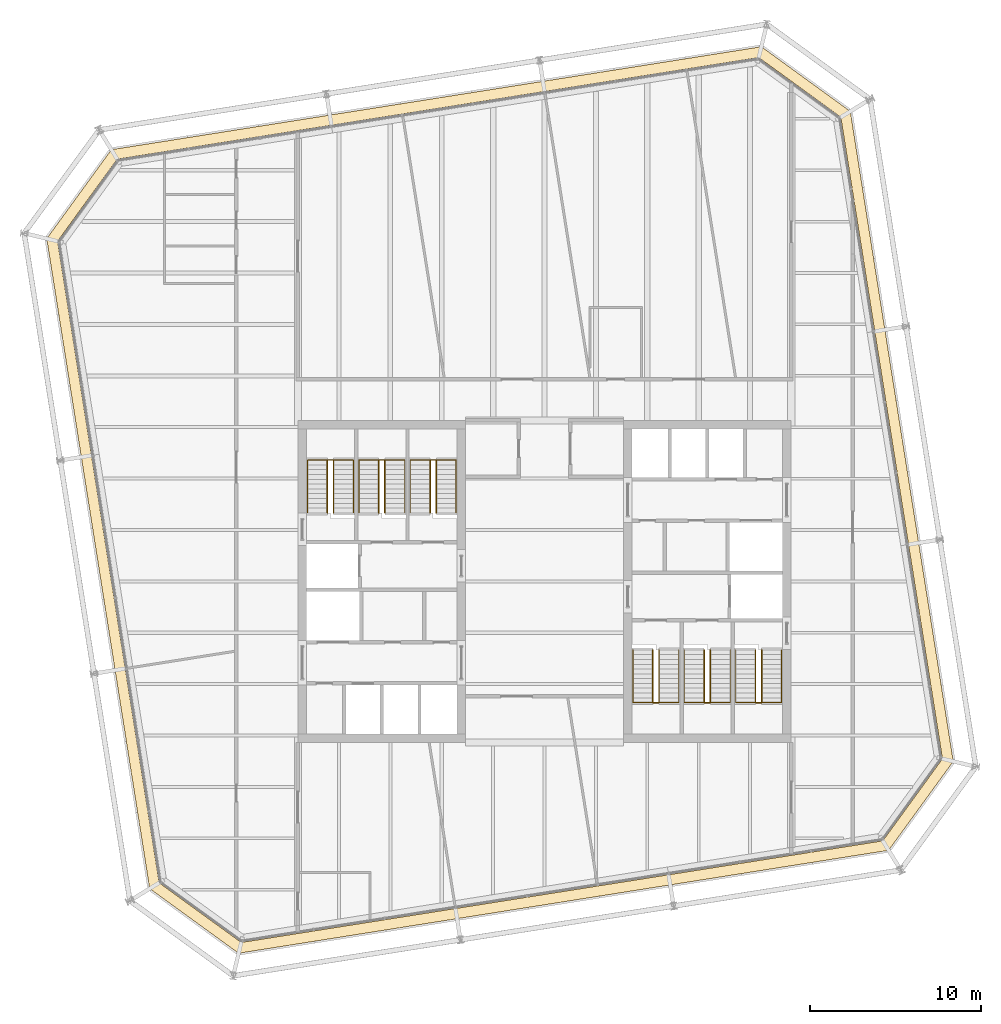
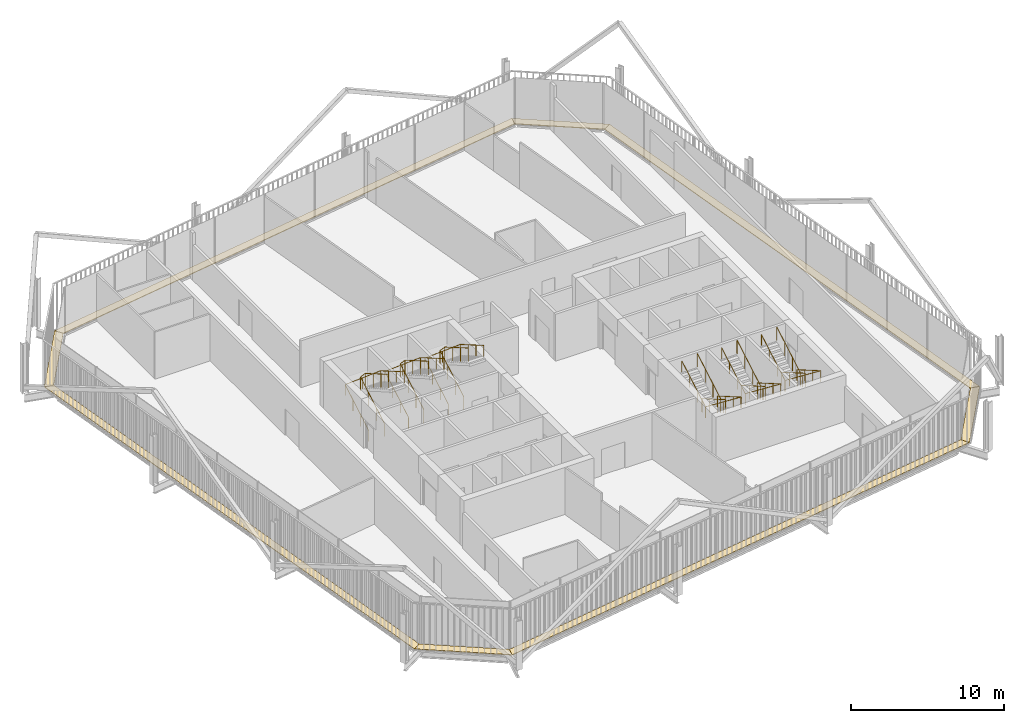
# One storey, part 21 of 21: 12 railings, 8 coverings.
"""IFC4 building model written with IfcOpenShell, lengths in metres."""

from ifc_helpers import new_model, si_unit, direction, frame, origin, origin_2d, place, context, subcontext, project, spatial, polyline, circle, outline, extrude, material, layer, layer_set, type_object, element, save


model = new_model("IFC4")

# Units and contexts
model_context = context("Model", 3, precision=1e-05, world=origin(), true_north=direction((0.0, 1.0)))
body_context = subcontext(model_context, "Body", "Model", "MODEL_VIEW")
ifc_project = project(units=[si_unit("LENGTHUNIT", "METRE"), si_unit("AREAUNIT", "SQUARE_METRE"), si_unit("VOLUMEUNIT", "CUBIC_METRE"), si_unit("PLANEANGLEUNIT", "RADIAN"), si_unit("MASSUNIT", "GRAM", prefix="KILO")], contexts=[model_context])

# Site, building, storey
site_placement = place(None, origin())
site = spatial("IfcSite", under=ifc_project, at=site_placement, CompositionType="ELEMENT")
building_placement = place(site_placement, origin())
building = spatial("IfcBuilding", under=site, at=building_placement, Name="Millrace Tower", CompositionType="ELEMENT")
storey_placement = place(building_placement, frame((0.0, 0.0, 247.39990234375)))
storey = spatial("IfcBuildingStorey", under=building, at=storey_placement, Name="L56", CompositionType="ELEMENT", Elevation=247.39990234375)

# Coverings
ifc_material_1 = material(Name="Steel ASTM A36", Category="steel")
ifc_layer = layer(ifc_material_1, 0.050048828125)
ifc_layer_set = layer_set([ifc_layer], Name="Steel ASTM A36")
covering_type = type_object("IfcCoveringType", Name="CAVITY CATWALK steel grating", PredefinedType="FLOORING", material=ifc_layer_set)
placement = place(storey_placement, frame((0.0, 0.0, 0.10009765625)))
element("IfcCovering", 1, at=placement, inside=storey, type_object=covering_type, Name="Cavity catwalk grating D-F01 L56 1", PredefinedType="FLOORING", context=body_context, shape_type="SweptSolid", body=[
    extrude(outline(polyline([(-23.052490234375, -17.939453125), (-17.85888671875, -21.712890625), (-17.707275390625, -21.081298828125), (-22.49853515625, -17.60009765625), (-23.052490234375, -17.939453125)])), origin(), (0.0, 0.0, 1.0), 0.050048828125),
])
element("IfcCovering", 2, at=placement, inside=storey, type_object=covering_type, Name="Cavity catwalk grating D-F02 L56 1", PredefinedType="FLOORING", context=body_context, shape_type="SweptSolid", body=[
    extrude(outline(polyline([(-17.85888671875, -21.712890625), (20.08935546875, -15.702392578125), (19.750244140625, -15.148681640625), (-17.707275390625, -21.081298828125), (-17.85888671875, -21.712890625)])), origin(), (0.0, 0.0, 1.0), 0.050048828125),
])
element("IfcCovering", 3, at=placement, inside=storey, type_object=covering_type, Name="Cavity catwalk grating D-F03 L56 1", PredefinedType="FLOORING", context=body_context, shape_type="SweptSolid", body=[
    extrude(outline(polyline([(20.08935546875, -15.702392578125), (23.86279296875, -10.5087890625), (23.231201171875, -10.357177734375), (19.750244140625, -15.148681640625), (20.08935546875, -15.702392578125)])), origin(), (0.0, 0.0, 1.0), 0.050048828125),
])
element("IfcCovering", 4, at=placement, inside=storey, type_object=covering_type, Name="Cavity catwalk grating D-F04 L56 1", PredefinedType="FLOORING", context=body_context, shape_type="SweptSolid", body=[
    extrude(outline(polyline([(23.86279296875, -10.5087890625), (17.852294921875, 27.439453125), (17.298583984375, 27.10009765625), (23.231201171875, -10.357177734375), (23.86279296875, -10.5087890625)])), origin(), (0.0, 0.0, 1.0), 0.050048828125),
])
element("IfcCovering", 5, at=placement, inside=storey, type_object=covering_type, Name="Cavity catwalk grating D-F05 L56 1", PredefinedType="FLOORING", context=body_context, shape_type="SweptSolid", body=[
    extrude(outline(polyline([(17.852294921875, 27.439453125), (12.658935546875, 31.212890625), (12.50732421875, 30.581298828125), (17.298583984375, 27.10009765625), (17.852294921875, 27.439453125)])), origin(), (0.0, 0.0, 1.0), 0.050048828125),
])
element("IfcCovering", 6, at=placement, inside=storey, type_object=covering_type, Name="Cavity catwalk grating D-F06 L56 1", PredefinedType="FLOORING", context=body_context, shape_type="SweptSolid", body=[
    extrude(outline(polyline([(12.658935546875, 31.212890625), (-25.28955078125, 25.202392578125), (-24.9501953125, 24.648681640625), (12.50732421875, 30.581298828125), (12.658935546875, 31.212890625)])), origin(), (0.0, 0.0, 1.0), 0.050048828125),
])
element("IfcCovering", 7, at=placement, inside=storey, type_object=covering_type, Name="Cavity catwalk grating D-F07 L56 1", PredefinedType="FLOORING", context=body_context, shape_type="SweptSolid", body=[
    extrude(outline(polyline([(-25.28955078125, 25.202392578125), (-29.062744140625, 20.0087890625), (-28.431396484375, 19.857177734375), (-24.9501953125, 24.648681640625), (-25.28955078125, 25.202392578125)])), origin(), (0.0, 0.0, 1.0), 0.050048828125),
])
element("IfcCovering", 8, at=placement, inside=storey, type_object=covering_type, Name="Cavity catwalk grating D-F08 L56 1", PredefinedType="FLOORING", context=body_context, shape_type="SweptSolid", body=[
    extrude(outline(polyline([(-29.062744140625, 20.0087890625), (-23.052490234375, -17.939453125), (-22.49853515625, -17.60009765625), (-28.431396484375, 19.857177734375), (-29.062744140625, 20.0087890625)])), origin(), (0.0, 0.0, 1.0), 0.050048828125),
])

# Railings
ifc_material_2 = material(Name="Stainless steel ASTM A240 type 316", Category="steel")
railing_type_1 = type_object("IfcRailingType", Name="Stair guard 1100", PredefinedType="GUARDRAIL", material=ifc_material_2)
for number, where, name in (
    (9, (-12.679931640625, 4.0, 0.16259765625), "Stair guard 1 W L56"),
    (10, (-9.679931640625, 4.0, 0.16259765625), "Stair guard 2 W L56"),
    (11, (-6.679931640625, 4.0, 0.16259765625), "Stair guard 3 W L56"),
):
    element("IfcRailing", number, at=place(storey_placement, frame(where)), inside=storey, type_object=railing_type_1, Name=name, PredefinedType="GUARDRAIL", context=body_context, shape_type="SweptSolid", body=[
        extrude(circle(Radius=0.02392578125, at=origin_2d()), frame((0.0, 0.0, 1.076171875), z_axis=(0.0, 0.864890721111, 0.501960198159), x_axis=(-1.0, 0.0, 0.0)), (0.0, 0.0, 1.0), 3.561279296875),
        extrude(circle(Radius=0.02392578125, at=origin_2d()), frame((0.0, 3.080078125, 2.86376953125), z_axis=(0.91152767309, 0.0, 0.411238739895), x_axis=(0.0, 1.0, 0.0)), (0.0, 0.0, 1.0), 0.394775390625),
        extrude(circle(Radius=0.02392578125, at=origin_2d()), frame((0.35986328125, 3.080078125, 3.02587890625), z_axis=(0.0, -0.864890721111, 0.501960198159), x_axis=(1.0, 0.0, 0.0)), (0.0, 0.0, 1.0), 3.561279296875),
        extrude(circle(Radius=0.02099609375, at=origin_2d()), origin(), (0.0, 0.0, 1.0), 1.052001953125),
        extrude(circle(Radius=0.02099609375, at=origin_2d()), frame((0.0, 1.026611328125, 0.595947265625)), (0.0, 0.0, 1.0), 1.052001953125),
        extrude(circle(Radius=0.02099609375, at=origin_2d()), frame((0.0, 2.053466796875, 1.191650390625)), (0.0, 0.0, 1.0), 1.052001953125),
        extrude(circle(Radius=0.02099609375, at=origin_2d()), frame((0.0, 3.080078125, 1.78759765625)), (0.0, 0.0, 1.0), 1.052001953125),
        extrude(circle(Radius=0.02099609375, at=origin_2d()), frame((0.35986328125, 3.080078125, 1.949951171875)), (0.0, 0.0, 1.0), 1.052001953125),
        extrude(circle(Radius=0.02099609375, at=origin_2d()), frame((0.35986328125, 2.053466796875, 2.5458984375)), (0.0, 0.0, 1.0), 1.052001953125),
        extrude(circle(Radius=0.02099609375, at=origin_2d()), frame((0.35986328125, 1.026611328125, 3.1416015625)), (0.0, 0.0, 1.0), 1.052001953125),
        extrude(circle(Radius=0.02099609375, at=origin_2d()), frame((0.35986328125, 0.0, 3.737548828125)), (0.0, 0.0, 1.0), 1.052001953125),
    ])
for number, where, name in (
    (12, (12.679931640625, -4.0, 0.16259765625), "Stair guard 1 E L56"),
    (13, (9.679931640625, -4.0, 0.16259765625), "Stair guard 2 E L56"),
    (14, (6.679931640625, -4.0, 0.16259765625), "Stair guard 3 E L56"),
):
    element("IfcRailing", number, at=place(storey_placement, frame(where)), inside=storey, type_object=railing_type_1, Name=name, PredefinedType="GUARDRAIL", context=body_context, shape_type="SweptSolid", body=[
        extrude(circle(Radius=0.02392578125, at=origin_2d()), frame((0.0, 0.0, 1.076171875), z_axis=(0.0, -0.864890721111, 0.501960198159), x_axis=(1.0, 0.0, 0.0)), (0.0, 0.0, 1.0), 3.561279296875),
        extrude(circle(Radius=0.02392578125, at=origin_2d()), frame((0.0, -3.080078125, 2.86376953125), z_axis=(-0.91152767309, 0.0, 0.411238739895), x_axis=(0.0, -1.0, 0.0)), (0.0, 0.0, 1.0), 0.394775390625),
        extrude(circle(Radius=0.02392578125, at=origin_2d()), frame((-0.35986328125, -3.080078125, 3.02587890625), z_axis=(0.0, 0.864890721111, 0.501960198159), x_axis=(-1.0, 0.0, 0.0)), (0.0, 0.0, 1.0), 3.561279296875),
        extrude(circle(Radius=0.02099609375, at=origin_2d()), origin(), (0.0, 0.0, 1.0), 1.052001953125),
        extrude(circle(Radius=0.02099609375, at=origin_2d()), frame((0.0, -1.026611328125, 0.595947265625)), (0.0, 0.0, 1.0), 1.052001953125),
        extrude(circle(Radius=0.02099609375, at=origin_2d()), frame((0.0, -2.053466796875, 1.191650390625)), (0.0, 0.0, 1.0), 1.052001953125),
        extrude(circle(Radius=0.02099609375, at=origin_2d()), frame((0.0, -3.080078125, 1.78759765625)), (0.0, 0.0, 1.0), 1.052001953125),
        extrude(circle(Radius=0.02099609375, at=origin_2d()), frame((-0.35986328125, -3.080078125, 1.949951171875)), (0.0, 0.0, 1.0), 1.052001953125),
        extrude(circle(Radius=0.02099609375, at=origin_2d()), frame((-0.35986328125, -2.053466796875, 2.5458984375)), (0.0, 0.0, 1.0), 1.052001953125),
        extrude(circle(Radius=0.02099609375, at=origin_2d()), frame((-0.35986328125, -1.026611328125, 3.1416015625)), (0.0, 0.0, 1.0), 1.052001953125),
        extrude(circle(Radius=0.02099609375, at=origin_2d()), frame((-0.35986328125, 0.0, 3.737548828125)), (0.0, 0.0, 1.0), 1.052001953125),
    ])
ifc_material_3 = material(Name="Stainless steel ASTM A240 type 316", Category="steel")
railing_type_2 = type_object("IfcRailingType", Name="Stair handrail 900", PredefinedType="HANDRAIL", material=ifc_material_3)
railing_1_placement = place(storey_placement, frame((-13.840087890625, 4.0, 0.16259765625)))
element("IfcRailing", 15, at=railing_1_placement, inside=storey, type_object=railing_type_2, Name="Stair handrail 1 W L56", PredefinedType="HANDRAIL", context=body_context, shape_type="SweptSolid", body=[
    extrude(circle(Radius=0.02392578125, at=origin_2d()), frame((0.0, 0.0, 0.8759765625), z_axis=(0.0, 0.864890721111, 0.501960198159), x_axis=(-1.0, 0.0, 0.0)), (0.0, 0.0, 1.0), 3.561279296875),
    extrude(circle(Radius=0.02392578125, at=origin_2d()), frame((0.0, 3.080078125, 2.66357421875), z_axis=(0.998170326313, 0.0, 0.06046486309), x_axis=(0.0, 1.0, 0.0)), (0.0, 0.0, 1.0), 2.68505859375),
    extrude(circle(Radius=0.02392578125, at=origin_2d()), frame((2.68017578125, 3.080078125, 2.82568359375), z_axis=(0.0, -0.864890721111, 0.501960198159), x_axis=(1.0, 0.0, 0.0)), (0.0, 0.0, 1.0), 3.561279296875),
    extrude(circle(Radius=0.02099609375, at=origin_2d()), origin(), (0.0, 0.0, 1.0), 0.851806640625),
    extrude(circle(Radius=0.02099609375, at=origin_2d()), frame((0.0, 1.026611328125, 0.595947265625)), (0.0, 0.0, 1.0), 0.851806640625),
    extrude(circle(Radius=0.02099609375, at=origin_2d()), frame((0.0, 2.053466796875, 1.191650390625)), (0.0, 0.0, 1.0), 0.851806640625),
    extrude(circle(Radius=0.02099609375, at=origin_2d()), frame((0.0, 3.080078125, 1.78759765625)), (0.0, 0.0, 1.0), 0.851806640625),
    extrude(circle(Radius=0.02099609375, at=origin_2d()), frame((1.340087890625, 3.080078125, 1.86865234375)), (0.0, 0.0, 1.0), 0.851806640625),
    extrude(circle(Radius=0.02099609375, at=origin_2d()), frame((2.68017578125, 3.080078125, 1.949951171875)), (0.0, 0.0, 1.0), 0.851806640625),
    extrude(circle(Radius=0.02099609375, at=origin_2d()), frame((2.68017578125, 2.053466796875, 2.5458984375)), (0.0, 0.0, 1.0), 0.851806640625),
    extrude(circle(Radius=0.02099609375, at=origin_2d()), frame((2.68017578125, 1.026611328125, 3.1416015625)), (0.0, 0.0, 1.0), 0.851806640625),
    extrude(circle(Radius=0.02099609375, at=origin_2d()), frame((2.68017578125, 0.0, 3.737548828125)), (0.0, 0.0, 1.0), 0.851806640625),
])
railing_2_placement = place(storey_placement, frame((-10.840087890625, 4.0, 0.16259765625)))
element("IfcRailing", 16, at=railing_2_placement, inside=storey, type_object=railing_type_2, Name="Stair handrail 2 W L56", PredefinedType="HANDRAIL", context=body_context, shape_type="SweptSolid", body=[
    extrude(circle(Radius=0.02392578125, at=origin_2d()), frame((0.0, 0.0, 0.8759765625), z_axis=(0.0, 0.864890721111, 0.501960198159), x_axis=(-1.0, 0.0, 0.0)), (0.0, 0.0, 1.0), 3.561279296875),
    extrude(circle(Radius=0.02392578125, at=origin_2d()), frame((0.0, 3.080078125, 2.66357421875), z_axis=(0.998170326313, 0.0, 0.06046486309), x_axis=(0.0, 1.0, 0.0)), (0.0, 0.0, 1.0), 2.68505859375),
    extrude(circle(Radius=0.02392578125, at=origin_2d()), frame((2.68017578125, 3.080078125, 2.82568359375), z_axis=(0.0, -0.864890721111, 0.501960198159), x_axis=(1.0, 0.0, 0.0)), (0.0, 0.0, 1.0), 3.561279296875),
    extrude(circle(Radius=0.02099609375, at=origin_2d()), origin(), (0.0, 0.0, 1.0), 0.851806640625),
    extrude(circle(Radius=0.02099609375, at=origin_2d()), frame((0.0, 1.026611328125, 0.595947265625)), (0.0, 0.0, 1.0), 0.851806640625),
    extrude(circle(Radius=0.02099609375, at=origin_2d()), frame((0.0, 2.053466796875, 1.191650390625)), (0.0, 0.0, 1.0), 0.851806640625),
    extrude(circle(Radius=0.02099609375, at=origin_2d()), frame((0.0, 3.080078125, 1.78759765625)), (0.0, 0.0, 1.0), 0.851806640625),
    extrude(circle(Radius=0.02099609375, at=origin_2d()), frame((1.340087890625, 3.080078125, 1.86865234375)), (0.0, 0.0, 1.0), 0.851806640625),
    extrude(circle(Radius=0.02099609375, at=origin_2d()), frame((2.68017578125, 3.080078125, 1.949951171875)), (0.0, 0.0, 1.0), 0.851806640625),
    extrude(circle(Radius=0.02099609375, at=origin_2d()), frame((2.68017578125, 2.053466796875, 2.5458984375)), (0.0, 0.0, 1.0), 0.851806640625),
    extrude(circle(Radius=0.02099609375, at=origin_2d()), frame((2.68017578125, 1.026611328125, 3.1416015625)), (0.0, 0.0, 1.0), 0.851806640625),
    extrude(circle(Radius=0.02099609375, at=origin_2d()), frame((2.68017578125, 0.0, 3.737548828125)), (0.0, 0.0, 1.0), 0.851806640625),
])
railing_3_placement = place(storey_placement, frame((-7.840087890625, 4.0, 0.16259765625)))
element("IfcRailing", 17, at=railing_3_placement, inside=storey, type_object=railing_type_2, Name="Stair handrail 3 W L56", PredefinedType="HANDRAIL", context=body_context, shape_type="SweptSolid", body=[
    extrude(circle(Radius=0.02392578125, at=origin_2d()), frame((0.0, 0.0, 0.8759765625), z_axis=(0.0, 0.864890721111, 0.501960198159), x_axis=(-1.0, 0.0, 0.0)), (0.0, 0.0, 1.0), 3.561279296875),
    extrude(circle(Radius=0.02392578125, at=origin_2d()), frame((0.0, 3.080078125, 2.66357421875), z_axis=(0.998170326313, 0.0, 0.06046486309), x_axis=(0.0, 1.0, 0.0)), (0.0, 0.0, 1.0), 2.68505859375),
    extrude(circle(Radius=0.02392578125, at=origin_2d()), frame((2.68017578125, 3.080078125, 2.82568359375), z_axis=(0.0, -0.864890721111, 0.501960198159), x_axis=(1.0, 0.0, 0.0)), (0.0, 0.0, 1.0), 3.561279296875),
    extrude(circle(Radius=0.02099609375, at=origin_2d()), origin(), (0.0, 0.0, 1.0), 0.851806640625),
    extrude(circle(Radius=0.02099609375, at=origin_2d()), frame((0.0, 1.026611328125, 0.595947265625)), (0.0, 0.0, 1.0), 0.851806640625),
    extrude(circle(Radius=0.02099609375, at=origin_2d()), frame((0.0, 2.053466796875, 1.191650390625)), (0.0, 0.0, 1.0), 0.851806640625),
    extrude(circle(Radius=0.02099609375, at=origin_2d()), frame((0.0, 3.080078125, 1.78759765625)), (0.0, 0.0, 1.0), 0.851806640625),
    extrude(circle(Radius=0.02099609375, at=origin_2d()), frame((1.340087890625, 3.080078125, 1.86865234375)), (0.0, 0.0, 1.0), 0.851806640625),
    extrude(circle(Radius=0.02099609375, at=origin_2d()), frame((2.68017578125, 3.080078125, 1.949951171875)), (0.0, 0.0, 1.0), 0.851806640625),
    extrude(circle(Radius=0.02099609375, at=origin_2d()), frame((2.68017578125, 2.053466796875, 2.5458984375)), (0.0, 0.0, 1.0), 0.851806640625),
    extrude(circle(Radius=0.02099609375, at=origin_2d()), frame((2.68017578125, 1.026611328125, 3.1416015625)), (0.0, 0.0, 1.0), 0.851806640625),
    extrude(circle(Radius=0.02099609375, at=origin_2d()), frame((2.68017578125, 0.0, 3.737548828125)), (0.0, 0.0, 1.0), 0.851806640625),
])
railing_4_placement = place(storey_placement, frame((13.840087890625, -4.0, 0.16259765625)))
element("IfcRailing", 18, at=railing_4_placement, inside=storey, type_object=railing_type_2, Name="Stair handrail 1 E L56", PredefinedType="HANDRAIL", context=body_context, shape_type="SweptSolid", body=[
    extrude(circle(Radius=0.02392578125, at=origin_2d()), frame((0.0, 0.0, 0.8759765625), z_axis=(0.0, -0.864890721111, 0.501960198159), x_axis=(1.0, 0.0, 0.0)), (0.0, 0.0, 1.0), 3.561279296875),
    extrude(circle(Radius=0.02392578125, at=origin_2d()), frame((0.0, -3.080078125, 2.66357421875), z_axis=(-0.998170326313, 0.0, 0.06046486309), x_axis=(0.0, -1.0, 0.0)), (0.0, 0.0, 1.0), 2.68505859375),
    extrude(circle(Radius=0.02392578125, at=origin_2d()), frame((-2.68017578125, -3.080078125, 2.82568359375), z_axis=(0.0, 0.864890721111, 0.501960198159), x_axis=(-1.0, 0.0, 0.0)), (0.0, 0.0, 1.0), 3.561279296875),
    extrude(circle(Radius=0.02099609375, at=origin_2d()), origin(), (0.0, 0.0, 1.0), 0.851806640625),
    extrude(circle(Radius=0.02099609375, at=origin_2d()), frame((0.0, -1.026611328125, 0.595947265625)), (0.0, 0.0, 1.0), 0.851806640625),
    extrude(circle(Radius=0.02099609375, at=origin_2d()), frame((0.0, -2.053466796875, 1.191650390625)), (0.0, 0.0, 1.0), 0.851806640625),
    extrude(circle(Radius=0.02099609375, at=origin_2d()), frame((0.0, -3.080078125, 1.78759765625)), (0.0, 0.0, 1.0), 0.851806640625),
    extrude(circle(Radius=0.02099609375, at=origin_2d()), frame((-1.340087890625, -3.080078125, 1.86865234375)), (0.0, 0.0, 1.0), 0.851806640625),
    extrude(circle(Radius=0.02099609375, at=origin_2d()), frame((-2.68017578125, -3.080078125, 1.949951171875)), (0.0, 0.0, 1.0), 0.851806640625),
    extrude(circle(Radius=0.02099609375, at=origin_2d()), frame((-2.68017578125, -2.053466796875, 2.5458984375)), (0.0, 0.0, 1.0), 0.851806640625),
    extrude(circle(Radius=0.02099609375, at=origin_2d()), frame((-2.68017578125, -1.026611328125, 3.1416015625)), (0.0, 0.0, 1.0), 0.851806640625),
    extrude(circle(Radius=0.02099609375, at=origin_2d()), frame((-2.68017578125, 0.0, 3.737548828125)), (0.0, 0.0, 1.0), 0.851806640625),
])
railing_5_placement = place(storey_placement, frame((10.840087890625, -4.0, 0.16259765625)))
element("IfcRailing", 19, at=railing_5_placement, inside=storey, type_object=railing_type_2, Name="Stair handrail 2 E L56", PredefinedType="HANDRAIL", context=body_context, shape_type="SweptSolid", body=[
    extrude(circle(Radius=0.02392578125, at=origin_2d()), frame((0.0, 0.0, 0.8759765625), z_axis=(0.0, -0.864890721111, 0.501960198159), x_axis=(1.0, 0.0, 0.0)), (0.0, 0.0, 1.0), 3.561279296875),
    extrude(circle(Radius=0.02392578125, at=origin_2d()), frame((0.0, -3.080078125, 2.66357421875), z_axis=(-0.998170326313, 0.0, 0.06046486309), x_axis=(0.0, -1.0, 0.0)), (0.0, 0.0, 1.0), 2.68505859375),
    extrude(circle(Radius=0.02392578125, at=origin_2d()), frame((-2.68017578125, -3.080078125, 2.82568359375), z_axis=(0.0, 0.864890721111, 0.501960198159), x_axis=(-1.0, 0.0, 0.0)), (0.0, 0.0, 1.0), 3.561279296875),
    extrude(circle(Radius=0.02099609375, at=origin_2d()), origin(), (0.0, 0.0, 1.0), 0.851806640625),
    extrude(circle(Radius=0.02099609375, at=origin_2d()), frame((0.0, -1.026611328125, 0.595947265625)), (0.0, 0.0, 1.0), 0.851806640625),
    extrude(circle(Radius=0.02099609375, at=origin_2d()), frame((0.0, -2.053466796875, 1.191650390625)), (0.0, 0.0, 1.0), 0.851806640625),
    extrude(circle(Radius=0.02099609375, at=origin_2d()), frame((0.0, -3.080078125, 1.78759765625)), (0.0, 0.0, 1.0), 0.851806640625),
    extrude(circle(Radius=0.02099609375, at=origin_2d()), frame((-1.340087890625, -3.080078125, 1.86865234375)), (0.0, 0.0, 1.0), 0.851806640625),
    extrude(circle(Radius=0.02099609375, at=origin_2d()), frame((-2.68017578125, -3.080078125, 1.949951171875)), (0.0, 0.0, 1.0), 0.851806640625),
    extrude(circle(Radius=0.02099609375, at=origin_2d()), frame((-2.68017578125, -2.053466796875, 2.5458984375)), (0.0, 0.0, 1.0), 0.851806640625),
    extrude(circle(Radius=0.02099609375, at=origin_2d()), frame((-2.68017578125, -1.026611328125, 3.1416015625)), (0.0, 0.0, 1.0), 0.851806640625),
    extrude(circle(Radius=0.02099609375, at=origin_2d()), frame((-2.68017578125, 0.0, 3.737548828125)), (0.0, 0.0, 1.0), 0.851806640625),
])
railing_6_placement = place(storey_placement, frame((7.840087890625, -4.0, 0.16259765625)))
element("IfcRailing", 20, at=railing_6_placement, inside=storey, type_object=railing_type_2, Name="Stair handrail 3 E L56", PredefinedType="HANDRAIL", context=body_context, shape_type="SweptSolid", body=[
    extrude(circle(Radius=0.02392578125, at=origin_2d()), frame((0.0, 0.0, 0.8759765625), z_axis=(0.0, -0.864890721111, 0.501960198159), x_axis=(1.0, 0.0, 0.0)), (0.0, 0.0, 1.0), 3.561279296875),
    extrude(circle(Radius=0.02392578125, at=origin_2d()), frame((0.0, -3.080078125, 2.66357421875), z_axis=(-0.998170326313, 0.0, 0.06046486309), x_axis=(0.0, -1.0, 0.0)), (0.0, 0.0, 1.0), 2.68505859375),
    extrude(circle(Radius=0.02392578125, at=origin_2d()), frame((-2.68017578125, -3.080078125, 2.82568359375), z_axis=(0.0, 0.864890721111, 0.501960198159), x_axis=(-1.0, 0.0, 0.0)), (0.0, 0.0, 1.0), 3.561279296875),
    extrude(circle(Radius=0.02099609375, at=origin_2d()), origin(), (0.0, 0.0, 1.0), 0.851806640625),
    extrude(circle(Radius=0.02099609375, at=origin_2d()), frame((0.0, -1.026611328125, 0.595947265625)), (0.0, 0.0, 1.0), 0.851806640625),
    extrude(circle(Radius=0.02099609375, at=origin_2d()), frame((0.0, -2.053466796875, 1.191650390625)), (0.0, 0.0, 1.0), 0.851806640625),
    extrude(circle(Radius=0.02099609375, at=origin_2d()), frame((0.0, -3.080078125, 1.78759765625)), (0.0, 0.0, 1.0), 0.851806640625),
    extrude(circle(Radius=0.02099609375, at=origin_2d()), frame((-1.340087890625, -3.080078125, 1.86865234375)), (0.0, 0.0, 1.0), 0.851806640625),
    extrude(circle(Radius=0.02099609375, at=origin_2d()), frame((-2.68017578125, -3.080078125, 1.949951171875)), (0.0, 0.0, 1.0), 0.851806640625),
    extrude(circle(Radius=0.02099609375, at=origin_2d()), frame((-2.68017578125, -2.053466796875, 2.5458984375)), (0.0, 0.0, 1.0), 0.851806640625),
    extrude(circle(Radius=0.02099609375, at=origin_2d()), frame((-2.68017578125, -1.026611328125, 3.1416015625)), (0.0, 0.0, 1.0), 0.851806640625),
    extrude(circle(Radius=0.02099609375, at=origin_2d()), frame((-2.68017578125, 0.0, 3.737548828125)), (0.0, 0.0, 1.0), 0.851806640625),
])

save(model, "model.ifc")
